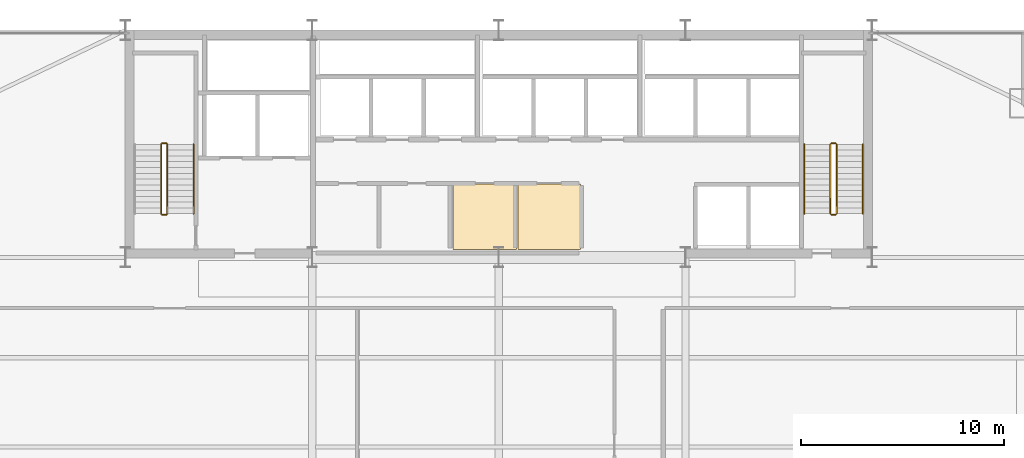
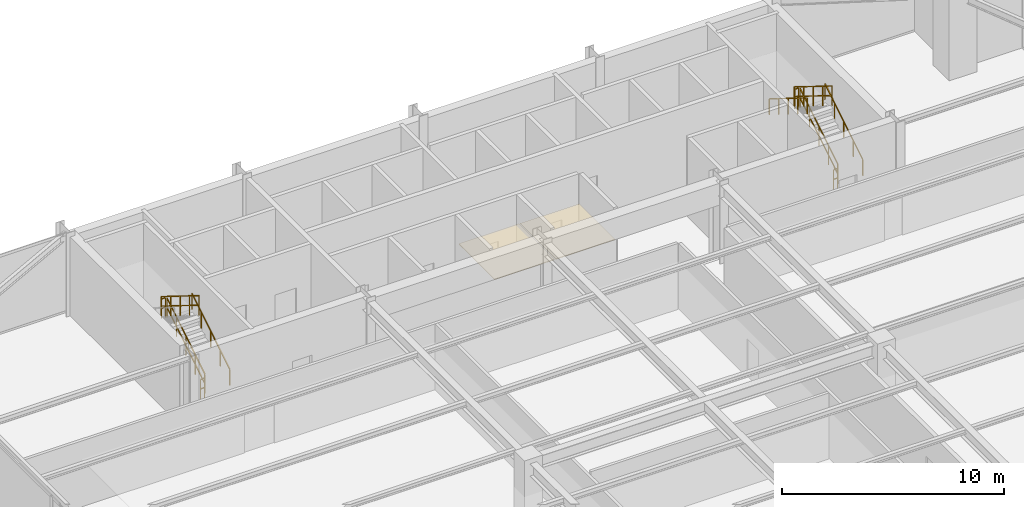
# One storey, part 32 of 32: 11 railings, 2 coverings.
"""IFC4 building model written with IfcOpenShell, lengths in metres."""

import ifcopenshell
import ifcopenshell.guid

model = None  # the IFC model being written
_history = None  # IfcOwnerHistory: only IFC2X3 demands one
_inside = {}  # id of a spatial element -> (the spatial element, [elements in it])
_under = {}  # id of a project, library or spatial element -> (it, [spatial elements below it])
_declared = {}  # id of a project -> (the project, [libraries it declares])
_typed = {}  # id of a type object -> (the type object, [elements of that type])
_made_of = {}  # id of a material, layer set ... -> (it, [elements and type objects made of it])


def new_model(schema):
    """Start an empty IFC model of exactly this schema.

    Asked for "IFC4X3", IfcOpenShell would pick the latest addendum, in which some entities
    have other attributes; the version numbers below select the first issue.
    IFC2X3 requires an IfcOwnerHistory on every rooted entity: one is made here for all.
    """
    global model, _history
    if schema == "IFC4X3":
        model = ifcopenshell.file(schema_version=(4, 3, 0, 0))
    else:
        model = ifcopenshell.file(schema=schema)
    _inside.clear()
    _under.clear()
    _declared.clear()
    _typed.clear()
    _made_of.clear()
    _history = None
    if model.schema == "IFC2X3":
        org = make("IfcOrganization", Name="unknown")
        user = make(
            "IfcPersonAndOrganization",
            ThePerson=make("IfcPerson", FamilyName="unknown"),
            TheOrganization=org,
        )
        app = make(
            "IfcApplication",
            ApplicationDeveloper=org,
            Version="unknown",
            ApplicationFullName="unknown",
            ApplicationIdentifier="unknown",
        )
        _history = make(
            "IfcOwnerHistory",
            OwningUser=user,
            OwningApplication=app,
            ChangeAction="ADDED",
            CreationDate=0,
        )
    return model


def make(cls, **values):
    """One entity of the class cls with the attributes given. An attribute that is None is left unset."""
    return model.create_entity(
        cls, **{name: value for name, value in values.items() if value is not None}
    )


def rooted(cls, **values):
    """An entity with a GlobalId (a new one), such as an element, a storey or a relation."""
    return make(cls, GlobalId=ifcopenshell.guid.new(), OwnerHistory=_history, **values)


def si_unit(unit_type, name, prefix=None):
    """IfcSIUnit, for example si_unit("LENGTHUNIT", "METRE", prefix="MILLI")."""
    return make("IfcSIUnit", UnitType=unit_type, Prefix=prefix, Name=name)


def assignment(units):
    """IfcUnitAssignment: the units of a project."""
    return None if units is None else make("IfcUnitAssignment", Units=units)


def point(xyz):
    """IfcCartesianPoint."""
    return None if xyz is None else make("IfcCartesianPoint", Coordinates=xyz)


def direction(xyz):
    """IfcDirection."""
    return None if xyz is None else make("IfcDirection", DirectionRatios=xyz)


def frame(location, z_axis=None, x_axis=None):
    """IfcAxis2Placement3D, a coordinate frame: its origin and axes. An axis left out is left unset."""
    return make(
        "IfcAxis2Placement3D",
        Location=point(location),
        Axis=direction(z_axis),
        RefDirection=direction(x_axis),
    )


def frame_2d(location, x_axis=None):
    """IfcAxis2Placement2D, a coordinate frame in the plane: its origin and x axis."""
    return make(
        "IfcAxis2Placement2D", Location=point(location), RefDirection=direction(x_axis)
    )


def origin():
    """The frame at (0, 0, 0) with its axes left unset."""
    return frame((0.0, 0.0, 0.0))


def origin_2d():
    """The frame at (0, 0) in the plane with its x axis left unset."""
    return frame_2d((0.0, 0.0))


def place(relative_to, where):
    """IfcLocalPlacement: puts the frame where relative to a parent placement (None: the world)."""
    return make(
        "IfcLocalPlacement", PlacementRelTo=relative_to, RelativePlacement=where
    )


def context(
    kind, dimensions, precision=None, world=None, true_north=None, identifier=None
):
    """IfcGeometricRepresentationContext, for example the 3D "Model" context."""
    return make(
        "IfcGeometricRepresentationContext",
        ContextIdentifier=identifier,
        ContextType=kind,
        CoordinateSpaceDimension=dimensions,
        Precision=precision,
        WorldCoordinateSystem=world,
        TrueNorth=true_north,
    )


def subcontext(parent, identifier, kind, view, scale=None):
    """IfcGeometricRepresentationSubContext, for example "Body" below "Model"."""
    return make(
        "IfcGeometricRepresentationSubContext",
        ContextIdentifier=identifier,
        ContextType=kind,
        ParentContext=parent,
        TargetScale=scale,
        TargetView=view,
    )


def project(units=None, contexts=None):
    """IfcProject with its units and contexts."""
    return rooted(
        "IfcProject",
        Name="project",
        RepresentationContexts=contexts,
        UnitsInContext=assignment(units),
    )


def spatial(cls, under=None, at=None, **own):
    """A site, building, storey or space (cls), placed at a placement, below another one or the project."""
    s = rooted(cls, ObjectPlacement=at, **own)
    if under is not None:
        _under.setdefault(under.id(), (under, []))[1].append(s)
    return s


def polyline(points):
    """IfcPolyline through the points."""
    return make("IfcPolyline", Points=[point(p) for p in points])


def profile(cls, at=None, kind="AREA", **sizes):
    """A parametric profile (cls). Its sizes go by their IFC names, for example OverallWidth=200.0."""
    return make(cls, ProfileType=kind, Position=at, **sizes)


def rectangle(**sizes):
    """IfcRectangleProfileDef."""
    return profile("IfcRectangleProfileDef", **sizes)


def outline(outer, holes=None, kind="AREA"):
    """IfcArbitraryClosedProfileDef: a profile drawn as a closed curve; with holes, ...WithVoids."""
    if holes is None:
        return make("IfcArbitraryClosedProfileDef", ProfileType=kind, OuterCurve=outer)
    return make(
        "IfcArbitraryProfileDefWithVoids",
        ProfileType=kind,
        OuterCurve=outer,
        InnerCurves=holes,
    )


def extrude(swept, where, along, depth):
    """IfcExtrudedAreaSolid: the profile swept, set in the frame where, extruded along a direction by depth."""
    return make(
        "IfcExtrudedAreaSolid",
        SweptArea=swept,
        Position=where,
        ExtrudedDirection=direction(along),
        Depth=depth,
    )


def shape(context_of_items, identifier, shape_type, items):
    """IfcShapeRepresentation: the items that make up one representation, for example the "Body"."""
    return make(
        "IfcShapeRepresentation",
        ContextOfItems=context_of_items,
        RepresentationIdentifier=identifier,
        RepresentationType=shape_type,
        Items=items,
    )


def material(Name=None, Category=None):
    """IfcMaterial."""
    return make("IfcMaterial", Name=Name, Category=Category)


def layer(
    of_material, thickness, ventilated=None, Name=None, Category=None, Priority=None
):
    """IfcMaterialLayer: one layer of a wall or slab, of a material (None: an air gap)."""
    return make(
        "IfcMaterialLayer",
        Material=of_material,
        LayerThickness=thickness,
        IsVentilated=ventilated,
        Name=Name,
        Category=Category,
        Priority=Priority,
    )


def layer_set(layers, Name=None):
    """IfcMaterialLayerSet."""
    return make("IfcMaterialLayerSet", MaterialLayers=layers, LayerSetName=Name)


def made_of(thing, what):
    """Note that an element or type object is made of a material, layer set ...; save() writes the relation."""
    if what is not None:
        _made_of.setdefault(what.id(), (what, []))[1].append(thing)
    return thing


def type_object(cls, material=None, **own):
    """A type object (cls), such as IfcWallType, which elements share."""
    return made_of(rooted(cls, **own), material)


def element(
    cls,
    number,
    at=None,
    inside=None,
    cuts=None,
    type_object=None,
    material=None,
    context=None,
    identifier="Body",
    shape_type=None,
    held_by="IfcProductDefinitionShape",
    body=None,
    shapes=None,
    **own,
):
    """One element of the class cls, such as IfcWall. Its Tag is "e" and its number.

    at: its placement. inside: the storey or other place that contains it. cuts: it is an
    opening in that element (IfcRelVoidsElement). A single representation is given by context,
    identifier, shape_type and body (its items); several are given by shapes. held_by: the class
    of the entity that holds the representations. save() writes the other relations.
    """
    e = rooted(cls, Tag="e%d" % number, ObjectPlacement=at, **own)
    if body is not None:
        shapes = [shape(context, identifier, shape_type, body)]
    if shapes is not None:
        e.Representation = make(held_by, Representations=shapes)
    if inside is not None:
        _inside.setdefault(inside.id(), (inside, []))[1].append(e)
    if cuts is not None:
        rooted(
            "IfcRelVoidsElement", RelatingBuildingElement=cuts, RelatedOpeningElement=e
        )
    if type_object is not None:
        _typed.setdefault(type_object.id(), (type_object, []))[1].append(e)
    return made_of(e, material)


def aggregate(whole, parts):
    """IfcRelAggregates: a whole, such as a stair, and the parts it consists of."""
    return rooted("IfcRelAggregates", RelatingObject=whole, RelatedObjects=parts)


def save(model, path):
    """Write the relations noted so far, then the file.

    IfcRelAggregates (storeys below a building ...), IfcRelContainedInSpatialStructure (elements
    in a storey), IfcRelDefinesByType, IfcRelAssociatesMaterial and IfcRelDeclares: one each for
    every whole, place, type object, material and project.
    """
    for whole, parts in _under.values():
        aggregate(whole, parts)
    for where, things in _inside.values():
        rooted(
            "IfcRelContainedInSpatialStructure",
            RelatedElements=things,
            RelatingStructure=where,
        )
    for kind, things in _typed.values():
        rooted("IfcRelDefinesByType", RelatedObjects=things, RelatingType=kind)
    for what, things in _made_of.values():
        rooted("IfcRelAssociatesMaterial", RelatedObjects=things, RelatingMaterial=what)
    for by, libraries in _declared.values():
        rooted("IfcRelDeclares", RelatingContext=by, RelatedDefinitions=libraries)
    model.write(path)


model = new_model("IFC4")

# Units and contexts
model_context = context("Model", 3, precision=1e-05, world=origin(), true_north=direction((0.0, 1.0)))
body_context = subcontext(model_context, "Body", "Model", "MODEL_VIEW")
ifc_project = project(units=[si_unit("LENGTHUNIT", "METRE"), si_unit("AREAUNIT", "SQUARE_METRE"), si_unit("VOLUMEUNIT", "CUBIC_METRE"), si_unit("PLANEANGLEUNIT", "RADIAN"), si_unit("MASSUNIT", "GRAM", prefix="KILO")], contexts=[model_context])

# Site, building, storey
site_placement = place(None, origin())
site = spatial("IfcSite", under=ifc_project, at=site_placement, CompositionType="ELEMENT")
building_placement = place(site_placement, origin())
building = spatial("IfcBuilding", under=site, at=building_placement, Name="Varnel Quay Broadcast Tower", CompositionType="ELEMENT")
storey_placement = place(building_placement, frame((0.0, 0.0, 98.39990234375)))
storey = spatial("IfcBuildingStorey", under=building, at=storey_placement, Name="L23", CompositionType="ELEMENT", Elevation=98.39990234375)

# Coverings
ifc_material_1 = material(Name="Micro-Perforated Acoustic Ceiling Tile")
ifc_layer = layer(ifc_material_1, 0.0400390625, Name="Micro-Perforated Acoustic Ceiling Tile")
ifc_layer_set = layer_set([ifc_layer], Name="Micro-Perforated Acoustic Ceiling Tile")
covering_type = type_object("IfcCoveringType", Name="Cov_AcousticCeiling", PredefinedType="CEILING", material=ifc_layer_set)
covering_1_placement = place(storey_placement, frame((0.0, 0.0, 2.580078125)))
element("IfcCovering", 1, at=covering_1_placement, inside=storey, type_object=covering_type, Name="L23 Broadcast First-Aid & Quiet Room Acoustic Ceiling", PredefinedType="CEILING", context=body_context, shape_type="SweptSolid", body=[
    extrude(outline(polyline([(31.735107421875, 35.985107421875), (34.864990234375, 35.985107421875), (34.864990234375, 39.215087890625), (31.735107421875, 39.215087890625), (31.735107421875, 35.985107421875)])), origin(), (0.0, 0.0, 1.0), 0.0400390625),
])
covering_2_placement = place(storey_placement, frame((0.0, 0.0, 2.580078125)))
element("IfcCovering", 2, at=covering_2_placement, inside=storey, type_object=covering_type, Name="L23 Zone Lighting Dimmer Room Acoustic Ceiling", PredefinedType="CEILING", context=body_context, shape_type="SweptSolid", body=[
    extrude(outline(polyline([(34.93505859375, 35.985107421875), (38.014892578125, 35.985107421875), (38.014892578125, 39.215087890625), (34.93505859375, 39.215087890625), (34.93505859375, 35.985107421875)])), origin(), (0.0, 0.0, 1.0), 0.0400390625),
])

# Railings
ifc_material_2 = material(Name="Painted Steel Guard and Handrail CSA G40.21 350W", Category="steel")
railing_type_1 = type_object("IfcRailingType", Name="Rail_StairGuard1100", PredefinedType="GUARDRAIL", material=ifc_material_2)
railing_1_placement = place(storey_placement, frame((17.64990234375, 37.75, 0.177001953125)))
element("IfcRailing", 3, at=railing_1_placement, inside=storey, type_object=railing_type_1, Name="L23 ST-01 stair guard 1", PredefinedType="GUARDRAIL", context=body_context, shape_type="SweptSolid", body=[
    extrude(rectangle(XDim=0.048095703125, YDim=0.048095703125, at=origin_2d()), frame((0.0, 0.0, 1.076171875), z_axis=(0.0, 0.849602680019, 0.527423251388), x_axis=(-1.0, 0.0, 0.0)), (0.0, 0.0, 1.0), 4.025390625),
    extrude(rectangle(XDim=0.048095703125, YDim=0.048095703125, at=origin_2d()), frame((0.0, 0.0, 0.550048828125), z_axis=(0.0, 0.849602680019, 0.527423251388), x_axis=(-1.0, 0.0, 0.0)), (0.0, 0.0, 1.0), 4.025390625),
    extrude(rectangle(XDim=0.0419921875, YDim=0.0419921875, at=origin_2d()), origin(), (0.0, 0.0, 1.0), 1.052001953125),
    extrude(rectangle(XDim=0.0419921875, YDim=0.0419921875, at=origin_2d()), frame((0.0, 0.85498046875, 0.53076171875)), (0.0, 0.0, 1.0), 1.052001953125),
    extrude(rectangle(XDim=0.0419921875, YDim=0.0419921875, at=origin_2d()), frame((0.0, 1.7099609375, 1.0615234375)), (0.0, 0.0, 1.0), 1.052001953125),
    extrude(rectangle(XDim=0.0419921875, YDim=0.0419921875, at=origin_2d()), frame((0.0, 2.56494140625, 1.59228515625)), (0.0, 0.0, 1.0), 1.052001953125),
    extrude(rectangle(XDim=0.0419921875, YDim=0.0419921875, at=origin_2d()), frame((0.0, 3.419921875, 2.123046875)), (0.0, 0.0, 1.0), 1.052001953125),
])
railing_2_placement = place(storey_placement, frame((17.60009765625, 41.219970703125, 2.300048828125)))
element("IfcRailing", 4, at=railing_2_placement, inside=storey, type_object=railing_type_1, Name="L23 ST-01 stair guard 2", PredefinedType="GUARDRAIL", context=body_context, shape_type="SweptSolid", body=[
    extrude(rectangle(XDim=0.048095703125, YDim=0.048095703125, at=origin_2d()), frame((0.0, 0.0, 1.076171875), z_axis=(-1.0, 0.0, 0.0), x_axis=(0.0, -1.0, 0.0)), (0.0, 0.0, 1.0), 0.2001953125),
    extrude(rectangle(XDim=0.048095703125, YDim=0.048095703125, at=origin_2d()), frame((0.0, 0.0, 0.550048828125), z_axis=(-1.0, 0.0, 0.0), x_axis=(0.0, -1.0, 0.0)), (0.0, 0.0, 1.0), 0.2001953125),
    extrude(rectangle(XDim=0.0419921875, YDim=0.0419921875, at=origin_2d()), origin(), (0.0, 0.0, 1.0), 1.052001953125),
    extrude(rectangle(XDim=0.0419921875, YDim=0.0419921875, at=origin_2d()), frame((-0.2001953125, 0.0, 0.0)), (0.0, 0.0, 1.0), 1.052001953125),
])
railing_3_placement = place(storey_placement, frame((17.35009765625, 41.169921875, 2.47705078125)))
element("IfcRailing", 5, at=railing_3_placement, inside=storey, type_object=railing_type_1, Name="L23 ST-01 stair guard 3", PredefinedType="GUARDRAIL", context=body_context, shape_type="SweptSolid", body=[
    extrude(rectangle(XDim=0.048095703125, YDim=0.048095703125, at=origin_2d()), frame((0.0, 0.0, 1.076171875), z_axis=(0.0, -0.849602680019, 0.527423251388), x_axis=(1.0, 0.0, 0.0)), (0.0, 0.0, 1.0), 4.025390625),
    extrude(rectangle(XDim=0.048095703125, YDim=0.048095703125, at=origin_2d()), frame((0.0, 0.0, 0.550048828125), z_axis=(0.0, -0.849602680019, 0.527423251388), x_axis=(1.0, 0.0, 0.0)), (0.0, 0.0, 1.0), 4.025390625),
    extrude(rectangle(XDim=0.0419921875, YDim=0.0419921875, at=origin_2d()), origin(), (0.0, 0.0, 1.0), 1.052001953125),
    extrude(rectangle(XDim=0.0419921875, YDim=0.0419921875, at=origin_2d()), frame((0.0, -0.85498046875, 0.53076171875)), (0.0, 0.0, 1.0), 1.052001953125),
    extrude(rectangle(XDim=0.0419921875, YDim=0.0419921875, at=origin_2d()), frame((0.0, -1.7099609375, 1.0615234375)), (0.0, 0.0, 1.0), 1.052001953125),
    extrude(rectangle(XDim=0.0419921875, YDim=0.0419921875, at=origin_2d()), frame((0.0, -2.56494140625, 1.59228515625)), (0.0, 0.0, 1.0), 1.052001953125),
    extrude(rectangle(XDim=0.0419921875, YDim=0.0419921875, at=origin_2d()), frame((0.0, -3.419921875, 2.123046875)), (0.0, 0.0, 1.0), 1.052001953125),
])
railing_4_placement = place(storey_placement, frame((17.60009765625, 37.699951171875, 0.0)))
element("IfcRailing", 6, at=railing_4_placement, inside=storey, type_object=railing_type_1, Name="L23 ST-01 stair guard 4", PredefinedType="GUARDRAIL", context=body_context, shape_type="SweptSolid", body=[
    extrude(rectangle(XDim=0.048095703125, YDim=0.048095703125, at=origin_2d()), frame((0.0, 0.0, 1.076171875), z_axis=(-1.0, 0.0, 0.0), x_axis=(0.0, -1.0, 0.0)), (0.0, 0.0, 1.0), 0.2001953125),
    extrude(rectangle(XDim=0.048095703125, YDim=0.048095703125, at=origin_2d()), frame((0.0, 0.0, 0.550048828125), z_axis=(-1.0, 0.0, 0.0), x_axis=(0.0, -1.0, 0.0)), (0.0, 0.0, 1.0), 0.2001953125),
    extrude(rectangle(XDim=0.0419921875, YDim=0.0419921875, at=origin_2d()), origin(), (0.0, 0.0, 1.0), 1.052001953125),
    extrude(rectangle(XDim=0.0419921875, YDim=0.0419921875, at=origin_2d()), frame((-0.2001953125, 0.0, 0.0)), (0.0, 0.0, 1.0), 1.052001953125),
])
railing_5_placement = place(storey_placement, frame((50.64990234375, 37.75, 0.177001953125)))
element("IfcRailing", 7, at=railing_5_placement, inside=storey, type_object=railing_type_1, Name="L23 ST-02 stair guard 1", PredefinedType="GUARDRAIL", context=body_context, shape_type="SweptSolid", body=[
    extrude(rectangle(XDim=0.048095703125, YDim=0.048095703125, at=origin_2d()), frame((0.0, 0.0, 1.076171875), z_axis=(0.0, 0.849602680019, 0.527423251388), x_axis=(-1.0, 0.0, 0.0)), (0.0, 0.0, 1.0), 4.025390625),
    extrude(rectangle(XDim=0.048095703125, YDim=0.048095703125, at=origin_2d()), frame((0.0, 0.0, 0.550048828125), z_axis=(0.0, 0.849602680019, 0.527423251388), x_axis=(-1.0, 0.0, 0.0)), (0.0, 0.0, 1.0), 4.025390625),
    extrude(rectangle(XDim=0.0419921875, YDim=0.0419921875, at=origin_2d()), origin(), (0.0, 0.0, 1.0), 1.052001953125),
    extrude(rectangle(XDim=0.0419921875, YDim=0.0419921875, at=origin_2d()), frame((0.0, 0.85498046875, 0.53076171875)), (0.0, 0.0, 1.0), 1.052001953125),
    extrude(rectangle(XDim=0.0419921875, YDim=0.0419921875, at=origin_2d()), frame((0.0, 1.7099609375, 1.0615234375)), (0.0, 0.0, 1.0), 1.052001953125),
    extrude(rectangle(XDim=0.0419921875, YDim=0.0419921875, at=origin_2d()), frame((0.0, 2.56494140625, 1.59228515625)), (0.0, 0.0, 1.0), 1.052001953125),
    extrude(rectangle(XDim=0.0419921875, YDim=0.0419921875, at=origin_2d()), frame((0.0, 3.419921875, 2.123046875)), (0.0, 0.0, 1.0), 1.052001953125),
])
railing_6_placement = place(storey_placement, frame((50.60009765625, 41.219970703125, 2.300048828125)))
element("IfcRailing", 8, at=railing_6_placement, inside=storey, type_object=railing_type_1, Name="L23 ST-02 stair guard 2", PredefinedType="GUARDRAIL", context=body_context, shape_type="SweptSolid", body=[
    extrude(rectangle(XDim=0.048095703125, YDim=0.048095703125, at=origin_2d()), frame((0.0, 0.0, 1.076171875), z_axis=(-1.0, 0.0, 0.0), x_axis=(0.0, -1.0, 0.0)), (0.0, 0.0, 1.0), 0.2001953125),
    extrude(rectangle(XDim=0.048095703125, YDim=0.048095703125, at=origin_2d()), frame((0.0, 0.0, 0.550048828125), z_axis=(-1.0, 0.0, 0.0), x_axis=(0.0, -1.0, 0.0)), (0.0, 0.0, 1.0), 0.2001953125),
    extrude(rectangle(XDim=0.0419921875, YDim=0.0419921875, at=origin_2d()), origin(), (0.0, 0.0, 1.0), 1.052001953125),
    extrude(rectangle(XDim=0.0419921875, YDim=0.0419921875, at=origin_2d()), frame((-0.2001953125, 0.0, 0.0)), (0.0, 0.0, 1.0), 1.052001953125),
])
railing_7_placement = place(storey_placement, frame((50.35009765625, 41.169921875, 2.47705078125)))
element("IfcRailing", 9, at=railing_7_placement, inside=storey, type_object=railing_type_1, Name="L23 ST-02 stair guard 3", PredefinedType="GUARDRAIL", context=body_context, shape_type="SweptSolid", body=[
    extrude(rectangle(XDim=0.048095703125, YDim=0.048095703125, at=origin_2d()), frame((0.0, 0.0, 1.076171875), z_axis=(0.0, -0.849602680019, 0.527423251388), x_axis=(1.0, 0.0, 0.0)), (0.0, 0.0, 1.0), 4.025390625),
    extrude(rectangle(XDim=0.048095703125, YDim=0.048095703125, at=origin_2d()), frame((0.0, 0.0, 0.550048828125), z_axis=(0.0, -0.849602680019, 0.527423251388), x_axis=(1.0, 0.0, 0.0)), (0.0, 0.0, 1.0), 4.025390625),
    extrude(rectangle(XDim=0.0419921875, YDim=0.0419921875, at=origin_2d()), origin(), (0.0, 0.0, 1.0), 1.052001953125),
    extrude(rectangle(XDim=0.0419921875, YDim=0.0419921875, at=origin_2d()), frame((0.0, -0.85498046875, 0.53076171875)), (0.0, 0.0, 1.0), 1.052001953125),
    extrude(rectangle(XDim=0.0419921875, YDim=0.0419921875, at=origin_2d()), frame((0.0, -1.7099609375, 1.0615234375)), (0.0, 0.0, 1.0), 1.052001953125),
    extrude(rectangle(XDim=0.0419921875, YDim=0.0419921875, at=origin_2d()), frame((0.0, -2.56494140625, 1.59228515625)), (0.0, 0.0, 1.0), 1.052001953125),
    extrude(rectangle(XDim=0.0419921875, YDim=0.0419921875, at=origin_2d()), frame((0.0, -3.419921875, 2.123046875)), (0.0, 0.0, 1.0), 1.052001953125),
])
railing_8_placement = place(storey_placement, frame((50.60009765625, 37.699951171875, 0.0)))
element("IfcRailing", 10, at=railing_8_placement, inside=storey, type_object=railing_type_1, Name="L23 ST-02 stair guard 4", PredefinedType="GUARDRAIL", context=body_context, shape_type="SweptSolid", body=[
    extrude(rectangle(XDim=0.048095703125, YDim=0.048095703125, at=origin_2d()), frame((0.0, 0.0, 1.076171875), z_axis=(-1.0, 0.0, 0.0), x_axis=(0.0, -1.0, 0.0)), (0.0, 0.0, 1.0), 0.2001953125),
    extrude(rectangle(XDim=0.048095703125, YDim=0.048095703125, at=origin_2d()), frame((0.0, 0.0, 0.550048828125), z_axis=(-1.0, 0.0, 0.0), x_axis=(0.0, -1.0, 0.0)), (0.0, 0.0, 1.0), 0.2001953125),
    extrude(rectangle(XDim=0.0419921875, YDim=0.0419921875, at=origin_2d()), origin(), (0.0, 0.0, 1.0), 1.052001953125),
    extrude(rectangle(XDim=0.0419921875, YDim=0.0419921875, at=origin_2d()), frame((-0.2001953125, 0.0, 0.0)), (0.0, 0.0, 1.0), 1.052001953125),
])
railing_type_2 = type_object("IfcRailingType", Name="Rail_StairHandrail900", PredefinedType="HANDRAIL", material=ifc_material_2)
for number, where, name in (
    (11, (18.949951171875, 37.75, 0.177001953125), "L23 ST-01 stair handrail 1"),
    (12, (51.949951171875, 37.75, 0.177001953125), "L23 ST-02 stair handrail 1"),
):
    element("IfcRailing", number, at=place(storey_placement, frame(where)), inside=storey, type_object=railing_type_2, Name=name, PredefinedType="HANDRAIL", context=body_context, shape_type="SweptSolid", body=[
        extrude(rectangle(XDim=0.048095703125, YDim=0.048095703125, at=origin_2d()), frame((0.0, 0.0, 0.8759765625), z_axis=(0.0, 0.849602680019, 0.527423251388), x_axis=(-1.0, 0.0, 0.0)), (0.0, 0.0, 1.0), 4.025390625),
        extrude(rectangle(XDim=0.0419921875, YDim=0.0419921875, at=origin_2d()), origin(), (0.0, 0.0, 1.0), 0.851806640625),
        extrude(rectangle(XDim=0.0419921875, YDim=0.0419921875, at=origin_2d()), frame((0.0, 0.85498046875, 0.53076171875)), (0.0, 0.0, 1.0), 0.851806640625),
        extrude(rectangle(XDim=0.0419921875, YDim=0.0419921875, at=origin_2d()), frame((0.0, 1.7099609375, 1.0615234375)), (0.0, 0.0, 1.0), 0.851806640625),
        extrude(rectangle(XDim=0.0419921875, YDim=0.0419921875, at=origin_2d()), frame((0.0, 2.56494140625, 1.59228515625)), (0.0, 0.0, 1.0), 0.851806640625),
        extrude(rectangle(XDim=0.0419921875, YDim=0.0419921875, at=origin_2d()), frame((0.0, 3.419921875, 2.123046875)), (0.0, 0.0, 1.0), 0.851806640625),
    ])
railing_9_placement = place(storey_placement, frame((49.050048828125, 41.169921875, 2.47705078125)))
element("IfcRailing", 13, at=railing_9_placement, inside=storey, type_object=railing_type_2, Name="L23 ST-02 stair handrail 2", PredefinedType="HANDRAIL", context=body_context, shape_type="SweptSolid", body=[
    extrude(rectangle(XDim=0.048095703125, YDim=0.048095703125, at=origin_2d()), frame((0.0, 0.0, 0.8759765625), z_axis=(0.0, -0.849602680019, 0.527423251388), x_axis=(1.0, 0.0, 0.0)), (0.0, 0.0, 1.0), 4.025390625),
    extrude(rectangle(XDim=0.0419921875, YDim=0.0419921875, at=origin_2d()), origin(), (0.0, 0.0, 1.0), 0.851806640625),
    extrude(rectangle(XDim=0.0419921875, YDim=0.0419921875, at=origin_2d()), frame((0.0, -0.85498046875, 0.53076171875)), (0.0, 0.0, 1.0), 0.851806640625),
    extrude(rectangle(XDim=0.0419921875, YDim=0.0419921875, at=origin_2d()), frame((0.0, -1.7099609375, 1.0615234375)), (0.0, 0.0, 1.0), 0.851806640625),
    extrude(rectangle(XDim=0.0419921875, YDim=0.0419921875, at=origin_2d()), frame((0.0, -2.56494140625, 1.59228515625)), (0.0, 0.0, 1.0), 0.851806640625),
    extrude(rectangle(XDim=0.0419921875, YDim=0.0419921875, at=origin_2d()), frame((0.0, -3.419921875, 2.123046875)), (0.0, 0.0, 1.0), 0.851806640625),
])

save(model, "model.ifc")
